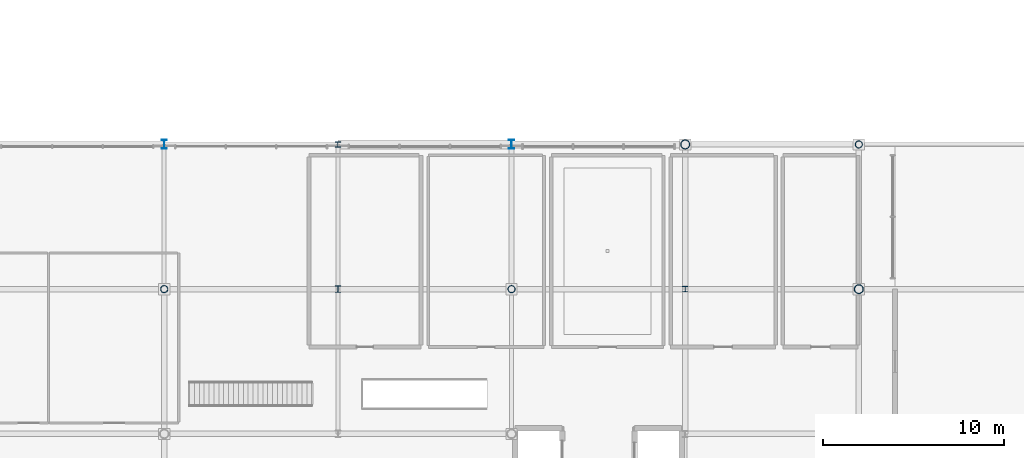
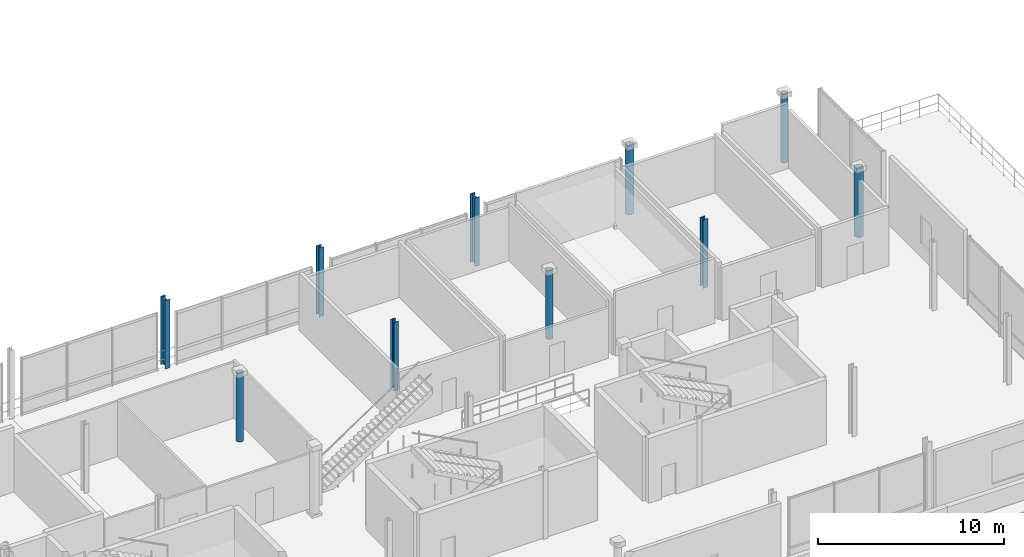
# One storey, part 6 of 36: 10 columns.
"""IFC4 building model written with IfcOpenShell, lengths in metres."""

from ifc_helpers import new_model, si_unit, direction, frame, origin, origin_2d, place, context, subcontext, project, spatial, hollow_circle, i_section, extrude, material, material_profile, profile_set, type_object, element, save


model = new_model("IFC4")

# Units and contexts
model_context = context("Model", 3, precision=1e-05, world=origin(), true_north=direction((0.0, 1.0)))
body_context = subcontext(model_context, "Body", "Model", "MODEL_VIEW")
ifc_project = project(units=[si_unit("LENGTHUNIT", "METRE"), si_unit("AREAUNIT", "SQUARE_METRE"), si_unit("VOLUMEUNIT", "CUBIC_METRE"), si_unit("PLANEANGLEUNIT", "RADIAN"), si_unit("MASSUNIT", "GRAM", prefix="KILO")], contexts=[model_context])

# Site, building, storey
site_placement = place(None, origin())
site = spatial("IfcSite", under=ifc_project, at=site_placement, CompositionType="ELEMENT")
building_placement = place(site_placement, origin())
building = spatial("IfcBuilding", under=site, at=building_placement, Name="Danafjord Basin Convention Centre", CompositionType="ELEMENT")
storey_placement = place(building_placement, frame((0.0, 0.0, 20.39990234375)))
storey = spatial("IfcBuildingStorey", under=building, at=storey_placement, Name="L04", CompositionType="ELEMENT", Elevation=20.39990234375)

# Columns
ifc_material = material(Name="Steel S355", Category="steel")
ifc_material_profile_1 = material_profile(ifc_material, hollow_circle(Radius=0.203125, WallThickness=0.02001953125, at=origin_2d()), Name="CHS 406.4x20.0")
ifc_profile_set_1 = profile_set([ifc_material_profile_1], Name="Steel S355")
column_type_1 = type_object("IfcColumnType", Name="COL-C-CHS406", PredefinedType="COLUMN", material=ifc_profile_set_1)
for number, where, z_axis, x_axis, name in (
    (1, (67.199951171875, 32.0, 0.0), (0.0, 0.0, 1.0), (1.0, 0.0, 0.0), "L04 column C-CHS406 at (67.2, 32.0)"),
    (2, (86.39990234375, 32.0, 0.0), (0.0, 0.0, 1.0), (1.0, 0.0, 0.0), "L04 column C-CHS406 at (86.4, 32.0)"),
    (3, (105.60009765625, 40.0, 0.0), (0.0, 0.0, 1.0), (1.0, 0.0, 0.0), "L04 column C-CHS406 at (105.6, 40.0)"),
):
    element("IfcColumn", number, at=place(storey_placement, frame(where, z_axis=z_axis, x_axis=x_axis)), inside=storey, type_object=column_type_1, Name=name, PredefinedType="COLUMN", context=body_context, shape_type="SweptSolid", body=[
        extrude(hollow_circle(Radius=0.203125, WallThickness=0.02001953125, at=origin_2d()), origin(), (0.0, 0.0, 1.0), 4.5),
    ])
ifc_material_profile_2 = material_profile(ifc_material, hollow_circle(Radius=0.25390625, WallThickness=0.02490234375, at=origin_2d()), Name="CHS 508.0x25.0")
ifc_profile_set_2 = profile_set([ifc_material_profile_2], Name="Steel S355")
column_type_2 = type_object("IfcColumnType", Name="COL-C-CHS508", PredefinedType="COLUMN", material=ifc_profile_set_2)
for number, where, z_axis, x_axis, name in (
    (4, (96.0, 40.0, 0.0), (0.0, 0.0, 1.0), (1.0, 0.0, 0.0), "L04 column C-CHS508 at (96.0, 40.0)"),
    (5, (105.60009765625, 32.0, 0.0), (0.0, 0.0, 1.0), (1.0, 0.0, 0.0), "L04 column C-CHS508 at (105.6, 32.0)"),
):
    element("IfcColumn", number, at=place(storey_placement, frame(where, z_axis=z_axis, x_axis=x_axis)), inside=storey, type_object=column_type_2, Name=name, PredefinedType="COLUMN", context=body_context, shape_type="SweptSolid", body=[
        extrude(hollow_circle(Radius=0.25390625, WallThickness=0.02490234375, at=origin_2d()), origin(), (0.0, 0.0, 1.0), 4.5),
    ])
ifc_material_profile_3 = material_profile(ifc_material, i_section(OverallWidth=0.300048828125, OverallDepth=0.300048828125, WebThickness=0.010986328125, FlangeThickness=0.01904296875, FilletRadius=0.027099609375, at=origin_2d()), Name="HEB 300")
ifc_profile_set_3 = profile_set([ifc_material_profile_3], Name="Steel S355")
column_type_3 = type_object("IfcColumnType", Name="COL-C-HEB300", PredefinedType="COLUMN", material=ifc_profile_set_3)
for number, where, z_axis, x_axis, name in (
    (6, (76.800048828125, 40.0, 0.0), (0.0, 0.0, 1.0), (1.0, 0.0, 0.0), "L04 column C-HEB300 at (76.8, 40.0)"),
    (7, (96.0, 32.0, 0.0), (0.0, 0.0, 1.0), (1.0, 0.0, 0.0), "L04 column C-HEB300 at (96.0, 32.0)"),
):
    element("IfcColumn", number, at=place(storey_placement, frame(where, z_axis=z_axis, x_axis=x_axis)), inside=storey, type_object=column_type_3, Name=name, PredefinedType="COLUMN", context=body_context, shape_type="SweptSolid", body=[
        extrude(i_section(OverallWidth=0.300048828125, OverallDepth=0.300048828125, WebThickness=0.010986328125, FlangeThickness=0.01904296875, FilletRadius=0.027099609375, at=origin_2d()), origin(), (0.0, 0.0, 1.0), 4.5),
    ])
ifc_material_profile_4 = material_profile(ifc_material, i_section(OverallWidth=0.300048828125, OverallDepth=0.360107421875, WebThickness=0.012451171875, FlangeThickness=0.0224609375, FilletRadius=0.027099609375, at=origin_2d()), Name="HEB 360")
ifc_profile_set_4 = profile_set([ifc_material_profile_4], Name="Steel S355")
column_type_4 = type_object("IfcColumnType", Name="COL-C-HEB360", PredefinedType="COLUMN", material=ifc_profile_set_4)
column_placement = place(storey_placement, frame((76.800048828125, 32.0, 0.0), z_axis=(0.0, 0.0, 1.0), x_axis=(1.0, 0.0, 0.0)))
element("IfcColumn", 8, at=column_placement, inside=storey, type_object=column_type_4, Name="L04 column C-HEB360 at (76.8, 32.0)", PredefinedType="COLUMN", context=body_context, shape_type="SweptSolid", body=[
    extrude(i_section(OverallWidth=0.300048828125, OverallDepth=0.360107421875, WebThickness=0.012451171875, FlangeThickness=0.0224609375, FilletRadius=0.027099609375, at=origin_2d()), origin(), (0.0, 0.0, 1.0), 4.5),
])
ifc_material_profile_5 = material_profile(ifc_material, i_section(OverallWidth=0.300048828125, OverallDepth=0.5, WebThickness=0.014404296875, FlangeThickness=0.028076171875, FilletRadius=0.027099609375, at=origin_2d()), Name="HEB 500")
ifc_profile_set_5 = profile_set([ifc_material_profile_5], Name="Steel S355")
column_type_5 = type_object("IfcColumnType", Name="COL-C-HEB500", PredefinedType="COLUMN", material=ifc_profile_set_5)
for number, where, z_axis, x_axis, name in (
    (9, (67.199951171875, 40.0, 0.0), (0.0, 0.0, 1.0), (1.0, 0.0, 0.0), "L04 column C-HEB500 at (67.2, 40.0)"),
    (10, (86.39990234375, 40.0, 0.0), (0.0, 0.0, 1.0), (1.0, 0.0, 0.0), "L04 column C-HEB500 at (86.4, 40.0)"),
):
    element("IfcColumn", number, at=place(storey_placement, frame(where, z_axis=z_axis, x_axis=x_axis)), inside=storey, type_object=column_type_5, Name=name, PredefinedType="COLUMN", context=body_context, shape_type="SweptSolid", body=[
        extrude(i_section(OverallWidth=0.300048828125, OverallDepth=0.5, WebThickness=0.014404296875, FlangeThickness=0.028076171875, FilletRadius=0.027099609375, at=origin_2d()), origin(), (0.0, 0.0, 1.0), 4.5),
    ])

save(model, "model.ifc")
